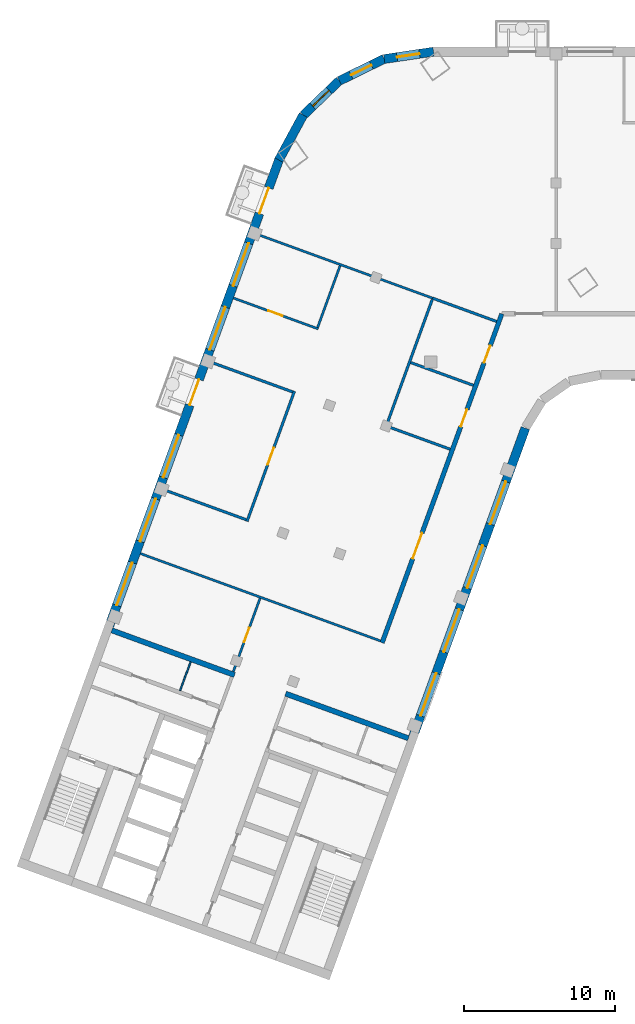
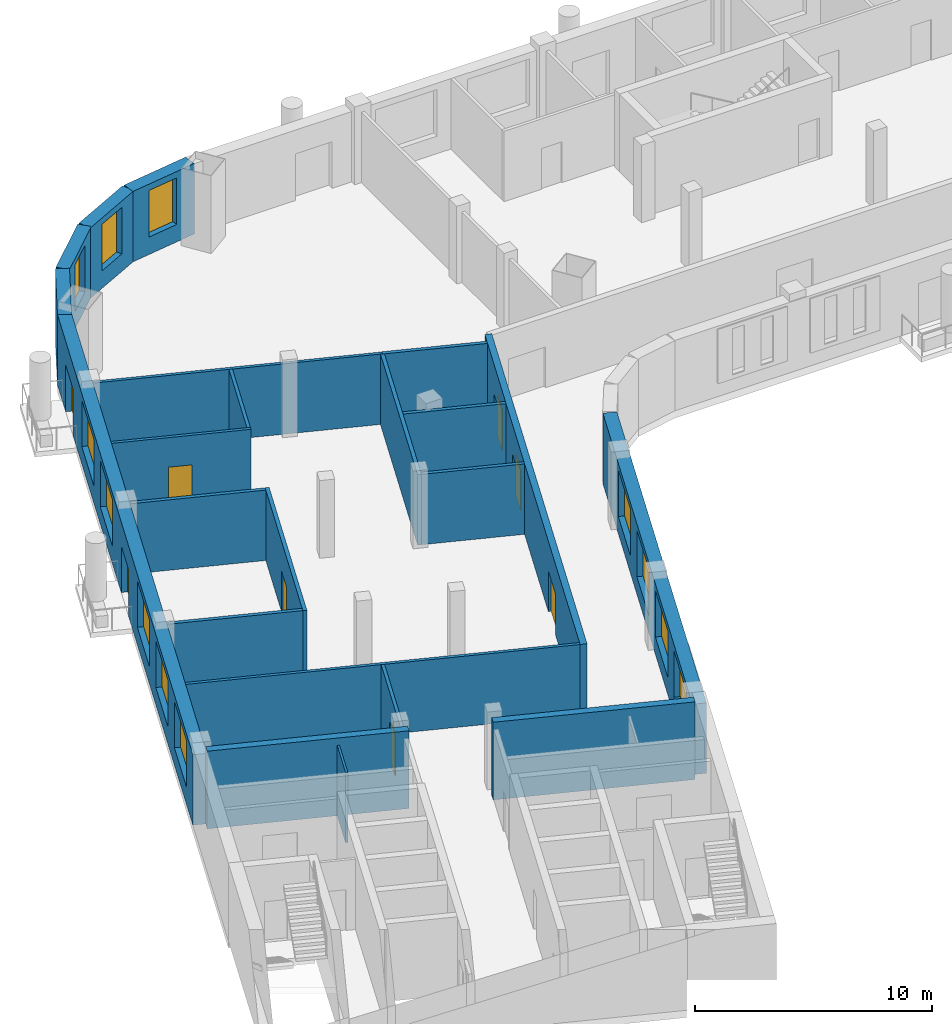
# One storey, part 3 of 10: 22 walls, 12 windows, 8 doors, 20 openings.
"""IFC4 building model written with IfcOpenShell, lengths in metres."""

from ifc_helpers import new_model, si_unit, direction, frame, frame_2d, origin, place, context, subcontext, project, spatial, rectangle, extrude, material, layer, layer_set, type_object, element, fill, save


model = new_model("IFC4")

# Units and contexts
model_context = context("Model", 3, precision=1e-05, world=origin(), true_north=direction((0.0, 1.0)))
body_context = subcontext(model_context, "Body", "Model", "MODEL_VIEW")
ifc_project = project(units=[si_unit("LENGTHUNIT", "METRE"), si_unit("AREAUNIT", "SQUARE_METRE"), si_unit("VOLUMEUNIT", "CUBIC_METRE"), si_unit("PLANEANGLEUNIT", "RADIAN"), si_unit("MASSUNIT", "GRAM", prefix="KILO")], contexts=[model_context])

# Site, building, storey
site_placement = place(None, origin())
site = spatial("IfcSite", under=ifc_project, at=site_placement, CompositionType="ELEMENT")
building_placement = place(site_placement, origin())
building = spatial("IfcBuilding", under=site, at=building_placement, Name="Skarvind Civic Tower", CompositionType="ELEMENT")
storey_placement = place(building_placement, frame((0.0, 0.0, 166.5)))
storey = spatial("IfcBuildingStorey", under=building, at=storey_placement, Name="L39", CompositionType="ELEMENT", Elevation=166.5)

# Walls
ifc_material_1 = material(Name="Acoustic gypsum board on steel studs", Category="steel")
ifc_layer_1 = layer(ifc_material_1, 0.175048828125)
ifc_layer_set_1 = layer_set([ifc_layer_1], Name="ACOUSTIC MEETING-ROOM PARTITION 175")
wall_type_1 = type_object("IfcWallType", Name="ACOUSTIC MEETING-ROOM PARTITION 175", PredefinedType="PARTITIONING", material=ifc_layer_set_1)
wall_1_placement = place(storey_placement, frame((31.35302734375, 118.166015625, 0.0), z_axis=(0.0, 0.0, 1.0), x_axis=(0.939708789041, -0.341975718143, 0.0)))
element("IfcWall", 1, at=wall_1_placement, inside=storey, type_object=wall_type_1, Name="Partition 39.002", PredefinedType="PARTITIONING", context=body_context, shape_type="SweptSolid", body=[
    extrude(rectangle(XDim=5.8134765625, YDim=0.175048828125, at=frame_2d((2.90673828125, 0.0))), origin(), (0.0, 0.0, 1.0), 3.625),
])
wall_2_placement = place(storey_placement, frame((33.737060546875, 107.720947265625, 0.0), z_axis=(0.0, 0.0, 1.0), x_axis=(-0.939694052357, 0.34201621009, 0.0)))
element("IfcWall", 2, at=wall_2_placement, inside=storey, type_object=wall_type_1, Name="Partition 39.003", PredefinedType="PARTITIONING", context=body_context, shape_type="SweptSolid", body=[
    extrude(rectangle(XDim=5.812744140625, YDim=0.175048828125, at=frame_2d((2.90625, 0.0))), origin(), (0.0, 0.0, 1.0), 3.625),
])

# Wall, opening, door
wall_3_placement = place(storey_placement, frame((36.927978515625, 116.22998046875, 0.0), z_axis=(0.0, 0.0, 1.0), x_axis=(-0.342125481497, -0.93965427414, 0.0)))
wall_3 = element("IfcWall", 3, at=wall_3_placement, inside=storey, type_object=wall_type_1, Name="Partition 39.006", PredefinedType="PARTITIONING", context=body_context, shape_type="SweptSolid", body=[
    extrude(rectangle(XDim=9.1748046875, YDim=0.175048828125, at=frame_2d((4.58740234375, 0.0))), origin(), (0.0, 0.0, 1.0), 3.625),
])
opening_1_placement = place(wall_3_placement, frame((3.9873046875, 0.0, 0.0)))
opening_1 = element("IfcOpeningElement", 4, at=opening_1_placement, cuts=wall_3, Name="Opening L39-D014", PredefinedType="OPENING", context=body_context, shape_type="SweptSolid", body=[
    extrude(rectangle(XDim=1.199951171875, YDim=2.10009765625, at=frame_2d((0.60009765625, 1.050048828125))), frame((0.0, 0.097412109375, 0.0), z_axis=(0.0, -1.0, 0.0), x_axis=(1.0, 0.0, 0.0)), (0.0, 0.0, 1.0), 0.195068359375),
])
ifc_material_2 = material(Name="Timber door leaf", Category="wood")
door_type_1 = type_object("IfcDoorType", Name="DOOR 1200X2100 DOUBLE TIMBER", OperationType="NOTDEFINED", PredefinedType="DOOR", material=ifc_material_2)
door_1_placement = place(opening_1_placement, origin())
door_1 = element("IfcDoor", 5, at=door_1_placement, inside=storey, type_object=door_type_1, Name="Door L39-D014", OperationType="DOUBLE_DOOR_SINGLE_SWING", OverallHeight=2.10009765625, OverallWidth=1.199951171875, PredefinedType="DOOR", context=body_context, shape_type="SweptSolid", body=[
    extrude(rectangle(XDim=1.199951171875, YDim=2.10009765625, at=frame_2d((0.60009765625, 1.050048828125))), frame((0.0, 0.02490234375, 0.0), z_axis=(0.0, -1.0, 0.0), x_axis=(1.0, 0.0, 0.0)), (0.0, 0.0, 1.0), 0.050048828125),
])
fill(opening_1, door_1)

# Walls
for number, where, z_axis, x_axis, name in (
    (6, (43.087890625, 113.89501953125, 0.0), (0.0, 0.0, 1.0), (0.939691598517, -0.342022951975, 0.0), "Partition 39.010"),
    (7, (44.626953125, 118.1240234375, 0.0), (0.0, 0.0, 1.0), (0.939691598517, -0.342022951975, 0.0), "Partition 39.011"),
):
    element("IfcWall", number, at=place(storey_placement, frame(where, z_axis=z_axis, x_axis=x_axis)), inside=storey, type_object=wall_type_1, Name=name, PredefinedType="PARTITIONING", context=body_context, shape_type="SweptSolid", body=[
        extrude(rectangle(XDim=4.412109375, YDim=0.175048828125, at=frame_2d((2.2060546875, 0.0))), origin(), (0.0, 0.0, 1.0), 3.625),
    ])
wall_4_placement = place(storey_placement, frame((46.053955078125, 122.301025390625, 0.0), z_axis=(0.0, 0.0, 1.0), x_axis=(-0.341963022424, -0.939713409128, 0.0)))
element("IfcWall", 8, at=wall_4_placement, inside=storey, type_object=wall_type_1, Name="Partition 39.012", PredefinedType="PARTITIONING", context=body_context, shape_type="SweptSolid", body=[
    extrude(rectangle(XDim=9.000732421875, YDim=0.175048828125, at=frame_2d((4.50048828125, 0.0))), origin(), (0.0, 0.0, 1.0), 3.625),
])
wall_5_placement = place(storey_placement, frame((50.31201171875, 120.843017578125, 0.0), z_axis=(0.0, 0.0, 1.0), x_axis=(-0.939609529273, 0.342248349154, 0.0)))
element("IfcWall", 9, at=wall_5_placement, inside=storey, type_object=wall_type_1, Name="Partition 39.013", PredefinedType="PARTITIONING", context=body_context, shape_type="SweptSolid", body=[
    extrude(rectangle(XDim=4.499755859375, YDim=0.175048828125, at=frame_2d((2.25, 0.0))), origin(), (0.0, 0.0, 1.0), 3.625),
])

# Wall, openings, doors
ifc_material_3 = material(Name="Fire-rated gypsum board on steel studs", Category="steel")
ifc_layer_2 = layer(ifc_material_3, 0.300048828125)
ifc_layer_set_2 = layer_set([ifc_layer_2], Name="CORRIDOR WALL 300")
wall_type_2 = type_object("IfcWallType", Name="CORRIDOR WALL 300", PredefinedType="PARTITIONING", material=ifc_layer_set_2)
wall_6_placement = place(storey_placement, frame((42.73193359375, 99.5791015625, 0.0), z_axis=(0.0, 0.0, 1.0), x_axis=(0.342036653044, 0.939686611576, 0.0)))
wall_6 = element("IfcWall", 10, at=wall_6_placement, inside=storey, type_object=wall_type_2, Name="Partition 39.009", PredefinedType="PARTITIONING", context=body_context, shape_type="SweptSolid", body=[
    extrude(rectangle(XDim=23.167236328125, YDim=0.300048828125, at=frame_2d((11.58349609375, 0.0))), origin(), (0.0, 0.0, 1.0), 3.625),
])
opening_2_placement = place(wall_6_placement, frame((15.224853515625, 0.0, 0.0)))
opening_2 = element("IfcOpeningElement", 11, at=opening_2_placement, cuts=wall_6, Name="Opening L39-D012", PredefinedType="OPENING", context=body_context, shape_type="SweptSolid", body=[
    extrude(rectangle(XDim=1.199951171875, YDim=2.10009765625, at=frame_2d((0.60009765625, 1.050048828125))), frame((0.0, 0.159912109375, 0.0), z_axis=(0.0, -1.0, 0.0), x_axis=(1.0, 0.0, 0.0)), (0.0, 0.0, 1.0), 0.320068359375),
])
opening_3_placement = place(wall_6_placement, frame((19.724609375, 0.0, 0.0)))
opening_3 = element("IfcOpeningElement", 12, at=opening_3_placement, cuts=wall_6, Name="Opening L39-D013", PredefinedType="OPENING", context=body_context, shape_type="SweptSolid", body=[
    extrude(rectangle(XDim=1.199951171875, YDim=2.10009765625, at=frame_2d((0.60009765625, 1.050048828125))), frame((0.0, 0.159912109375, 0.0), z_axis=(0.0, -1.0, 0.0), x_axis=(1.0, 0.0, 0.0)), (0.0, 0.0, 1.0), 0.320068359375),
])
opening_4_placement = place(wall_6_placement, frame((5.924560546875, 0.0, 0.0)))
opening_4 = element("IfcOpeningElement", 13, at=opening_4_placement, cuts=wall_6, Name="Opening L39-D016", PredefinedType="OPENING", context=body_context, shape_type="SweptSolid", body=[
    extrude(rectangle(XDim=1.800048828125, YDim=2.10009765625, at=frame_2d((0.89990234375, 1.050048828125))), frame((0.0, 0.159912109375, 0.0), z_axis=(0.0, -1.0, 0.0), x_axis=(1.0, 0.0, 0.0)), (0.0, 0.0, 1.0), 0.320068359375),
])
ifc_material_4 = material(Name="Fire-rated timber door leaf", Category="wood")
door_type_2 = type_object("IfcDoorType", Name="FD4 1800x2100", OperationType="NOTDEFINED", PredefinedType="DOOR", material=ifc_material_4)
door_2_placement = place(opening_4_placement, origin())
door_2 = element("IfcDoor", 14, at=door_2_placement, inside=storey, type_object=door_type_2, Name="Door L39-D016", OperationType="DOUBLE_DOOR_SINGLE_SWING", OverallHeight=2.10009765625, OverallWidth=1.800048828125, PredefinedType="DOOR", context=body_context, shape_type="SweptSolid", body=[
    extrude(rectangle(XDim=1.800048828125, YDim=2.10009765625, at=frame_2d((0.89990234375, 1.050048828125))), frame((0.0, 0.02490234375, 0.0), z_axis=(0.0, -1.0, 0.0), x_axis=(1.0, 0.0, 0.0)), (0.0, 0.0, 1.0), 0.050048828125),
])
fill(opening_4, door_2)
door_type_3 = type_object("IfcDoorType", Name="FD6 1200x2100 DOUBLE", OperationType="NOTDEFINED", PredefinedType="DOOR", material=ifc_material_4)
door_3_placement = place(opening_2_placement, origin())
door_3 = element("IfcDoor", 15, at=door_3_placement, inside=storey, type_object=door_type_3, Name="Door L39-D012", OperationType="DOUBLE_DOOR_SINGLE_SWING", OverallHeight=2.10009765625, OverallWidth=1.199951171875, PredefinedType="DOOR", context=body_context, shape_type="SweptSolid", body=[
    extrude(rectangle(XDim=1.199951171875, YDim=2.10009765625, at=frame_2d((0.60009765625, 1.050048828125))), frame((0.0, 0.02490234375, 0.0), z_axis=(0.0, -1.0, 0.0), x_axis=(1.0, 0.0, 0.0)), (0.0, 0.0, 1.0), 0.050048828125),
])
fill(opening_2, door_3)
door_4_placement = place(opening_3_placement, origin())
door_4 = element("IfcDoor", 16, at=door_4_placement, inside=storey, type_object=door_type_3, Name="Door L39-D013", OperationType="DOUBLE_DOOR_SINGLE_SWING", OverallHeight=2.10009765625, OverallWidth=1.199951171875, PredefinedType="DOOR", context=body_context, shape_type="SweptSolid", body=[
    extrude(rectangle(XDim=1.199951171875, YDim=2.10009765625, at=frame_2d((0.60009765625, 1.050048828125))), frame((0.0, 0.02490234375, 0.0), z_axis=(0.0, -1.0, 0.0), x_axis=(1.0, 0.0, 0.0)), (0.0, 0.0, 1.0), 0.050048828125),
])
fill(opening_3, door_4)

# Walls
ifc_material_5 = material(Name="Fire-rated plasterboard partition")
ifc_layer_3 = layer(ifc_material_5, 0.10009765625)
ifc_layer_set_3 = layer_set([ifc_layer_3], Name="Core partition wall 100")
wall_type_3 = type_object("IfcWallType", Name="Core partition wall 100", PredefinedType="PARTITIONING", material=ifc_layer_set_3)
wall_7_placement = place(storey_placement, frame((29.3623046875, 96.410400390625, 0.0), z_axis=(0.0, 0.0, 1.0), x_axis=(0.342043138314, 0.939684250976, 0.0)))
element("IfcWall", 17, at=wall_7_placement, inside=storey, type_object=wall_type_3, Name="Core wall C2", PredefinedType="PARTITIONING", context=body_context, shape_type="SweptSolid", body=[
    extrude(rectangle(XDim=2.02490234375, YDim=0.10009765625, at=frame_2d((1.012451171875, 0.0))), origin(), (0.0, 0.0, 1.0), 3.625),
])
ifc_material_6 = material(Name="Concrete C60", Category="concrete")
ifc_layer_4 = layer(ifc_material_6, 0.35009765625)
ifc_layer_set_4 = layer_set([ifc_layer_4], Name="Core wall 350 C60")
wall_type_4 = type_object("IfcWallType", Name="Core wall 350 C60", PredefinedType="SHEAR", material=ifc_layer_set_4)
wall_8_placement = place(storey_placement, frame((44.473388671875, 93.25146484375, 0.0), z_axis=(0.0, 0.0, 1.0), x_axis=(-0.939692847377, 0.34201952077, 0.0)))
element("IfcWall", 18, at=wall_8_placement, inside=storey, type_object=wall_type_4, Name="Core wall C2 south inner face L39", PredefinedType="SHEAR", context=body_context, shape_type="SweptSolid", body=[
    extrude(rectangle(XDim=8.650146484375, YDim=0.35009765625, at=frame_2d((4.3251953125, 0.0))), origin(), (0.0, 0.0, 1.0), 4.0),
])
wall_9_placement = place(storey_placement, frame((32.9619140625, 97.44140625, 0.0), z_axis=(0.0, 0.0, 1.0), x_axis=(-0.939689545667, 0.342028592028, 0.0)))
element("IfcWall", 19, at=wall_9_placement, inside=storey, type_object=wall_type_4, Name="Core wall C2 north inner face L39", PredefinedType="SHEAR", context=body_context, shape_type="SweptSolid", body=[
    extrude(rectangle(XDim=8.64990234375, YDim=0.35009765625, at=frame_2d((4.324951171875, 0.0))), origin(), (0.0, 0.0, 1.0), 4.0),
])
ifc_material_7 = material(Name="Plasterboard partition on steel studs", Category="steel")
ifc_layer_5 = layer(ifc_material_7, 0.14990234375)
ifc_layer_set_5 = layer_set([ifc_layer_5], Name="PARTITION 150")
wall_type_5 = type_object("IfcWallType", Name="PARTITION 150", PredefinedType="PARTITIONING", material=ifc_layer_set_5)
wall_10_placement = place(storey_placement, frame((26.736083984375, 105.47998046875, 0.0), z_axis=(0.0, 0.0, 1.0), x_axis=(0.939695108427, -0.342013308511, 0.0)))
element("IfcWall", 20, at=wall_10_placement, inside=storey, type_object=wall_type_5, Name="Partition 39.001", PredefinedType="PARTITIONING", context=body_context, shape_type="SweptSolid", body=[
    extrude(rectangle(XDim=16.89990234375, YDim=0.14990234375, at=frame_2d((8.449951171875, 0.0))), origin(), (0.0, 0.0, 1.0), 3.625),
])
wall_11_placement = place(storey_placement, frame((34.430908203125, 126.6240234375, 0.0), z_axis=(0.0, 0.0, 1.0), x_axis=(0.939703144457, -0.341991228392, 0.0)))
element("IfcWall", 21, at=wall_11_placement, inside=storey, type_object=wall_type_5, Name="Partition 39.004", PredefinedType="PARTITIONING", context=body_context, shape_type="SweptSolid", body=[
    extrude(rectangle(XDim=12.40087890625, YDim=0.14990234375, at=frame_2d((6.200439453125, 0.0))), origin(), (0.0, 0.0, 1.0), 3.625),
])

# Wall, opening, door
wall_12_placement = place(storey_placement, frame((32.881103515625, 97.656982421875, 0.0), z_axis=(0.0, 0.0, 1.0), x_axis=(0.341981688871, 0.939706616172, 0.0)))
wall_12 = element("IfcWall", 22, at=wall_12_placement, inside=storey, type_object=wall_type_5, Name="Partition 39.005", PredefinedType="PARTITIONING", context=body_context, shape_type="SweptSolid", body=[
    extrude(rectangle(XDim=5.175048828125, YDim=0.14990234375, at=frame_2d((2.58740234375, 0.0))), origin(), (0.0, 0.0, 1.0), 3.625),
])
opening_5_placement = place(wall_12_placement, frame((2.09765625, 0.0, 0.0)))
opening_5 = element("IfcOpeningElement", 23, at=opening_5_placement, cuts=wall_12, Name="Opening L39-D011", PredefinedType="OPENING", context=body_context, shape_type="SweptSolid", body=[
    extrude(rectangle(XDim=1.0, YDim=2.10009765625, at=frame_2d((0.5, 1.050048828125))), frame((0.0, 0.0849609375, 0.0), z_axis=(0.0, -1.0, 0.0), x_axis=(1.0, 0.0, 0.0)), (0.0, 0.0, 1.0), 0.169921875),
])
door_type_4 = type_object("IfcDoorType", Name="D1 1000x2100", OperationType="NOTDEFINED", PredefinedType="DOOR", material=ifc_material_2)
door_5_placement = place(opening_5_placement, origin())
door_5 = element("IfcDoor", 24, at=door_5_placement, inside=storey, type_object=door_type_4, Name="Door L39-D011", OperationType="SINGLE_SWING_LEFT", OverallHeight=2.10009765625, OverallWidth=1.0, PredefinedType="DOOR", context=body_context, shape_type="SweptSolid", body=[
    extrude(rectangle(XDim=1.0, YDim=2.10009765625, at=frame_2d((0.5, 1.050048828125))), frame((0.0, 0.02490234375, 0.0), z_axis=(0.0, -1.0, 0.0), x_axis=(1.0, 0.0, 0.0)), (0.0, 0.0, 1.0), 0.050048828125),
])
fill(opening_5, door_5)

wall_13_placement = place(storey_placement, frame((38.507080078125, 120.35107421875, 0.0), z_axis=(0.0, 0.0, 1.0), x_axis=(-0.939678850769, 0.342057973766, 0.0)))
wall_13 = element("IfcWall", 25, at=wall_13_placement, inside=storey, type_object=wall_type_5, Name="Partition 39.007", PredefinedType="PARTITIONING", context=body_context, shape_type="SweptSolid", body=[
    extrude(rectangle(XDim=5.975341796875, YDim=0.14990234375, at=frame_2d((2.98779296875, 0.0))), origin(), (0.0, 0.0, 1.0), 3.625),
])
opening_6_placement = place(wall_13_placement, frame((2.52490234375, 0.0, 0.0)))
opening_6 = element("IfcOpeningElement", 26, at=opening_6_placement, cuts=wall_13, Name="Opening L39-D015", PredefinedType="OPENING", context=body_context, shape_type="SweptSolid", body=[
    extrude(rectangle(XDim=1.0, YDim=2.10009765625, at=frame_2d((0.5, 1.050048828125))), frame((0.0, 0.0849609375, 0.0), z_axis=(0.0, -1.0, 0.0), x_axis=(1.0, 0.0, 0.0)), (0.0, 0.0, 1.0), 0.169921875),
])
door_6_placement = place(opening_6_placement, origin())
door_6 = element("IfcDoor", 27, at=door_6_placement, inside=storey, type_object=door_type_4, Name="Door L39-D015", OperationType="SINGLE_SWING_LEFT", OverallHeight=2.10009765625, OverallWidth=1.0, PredefinedType="DOOR", context=body_context, shape_type="SweptSolid", body=[
    extrude(rectangle(XDim=1.0, YDim=2.10009765625, at=frame_2d((0.5, 1.050048828125))), frame((0.0, 0.02490234375, 0.0), z_axis=(0.0, -1.0, 0.0), x_axis=(1.0, 0.0, 0.0)), (0.0, 0.0, 1.0), 0.050048828125),
])
fill(opening_6, door_6)

# Wall
wall_14_placement = place(storey_placement, frame((39.949951171875, 124.535888671875, 0.0), z_axis=(0.0, 0.0, 1.0), x_axis=(-0.341783611499, -0.939778677621, 0.0)))
element("IfcWall", 28, at=wall_14_placement, inside=storey, type_object=wall_type_5, Name="Partition 39.008", PredefinedType="PARTITIONING", context=body_context, shape_type="SweptSolid", body=[
    extrude(rectangle(XDim=4.350830078125, YDim=0.14990234375, at=frame_2d((2.17529296875, 0.0))), origin(), (0.0, 0.0, 1.0), 3.625),
])

# Wall, openings, windows
ifc_material_8 = material(Name="Limestone masonry cladding on insulated backing", Category="masonry")
ifc_layer_6 = layer(ifc_material_8, 0.60009765625)
ifc_layer_set_6 = layer_set([ifc_layer_6], Name="WX1 STONE FACADE WALL 600")
wall_type_6 = type_object("IfcWallType", Name="WX1 STONE FACADE WALL 600", PredefinedType="SOLIDWALL", material=ifc_layer_set_6)
wall_15_placement = place(storey_placement, frame((52.212158203125, 113.78271484375, 0.0), z_axis=(0.0, 0.0, 1.0), x_axis=(-0.34202521188, -0.939690775968, 0.0)))
wall_15 = element("IfcWall", 29, at=wall_15_placement, inside=storey, type_object=wall_type_6, Name="STONE FACADE WALL", PredefinedType="SOLIDWALL", context=body_context, shape_type="SweptSolid", body=[
    extrude(rectangle(XDim=21.744873046875, YDim=0.60009765625, at=frame_2d((10.87255859375, 0.0))), origin(), (0.0, 0.0, 1.0), 3.625),
])
opening_7_placement = place(wall_15_placement, frame((3.764892578125, 0.0, 0.89990234375)))
opening_7 = element("IfcOpeningElement", 30, at=opening_7_placement, cuts=wall_15, Name="Opening WN1", PredefinedType="OPENING", context=body_context, shape_type="SweptSolid", body=[
    extrude(rectangle(XDim=3.0, YDim=2.39990234375, at=frame_2d((1.5, 1.199951171875))), frame((0.0, 0.31005859375, 0.0), z_axis=(0.0, -1.0, 0.0), x_axis=(1.0, 0.0, 0.0)), (0.0, 0.0, 1.0), 0.6201171875),
])
opening_8_placement = place(wall_15_placement, frame((8.264892578125, 0.0, 0.89990234375)))
opening_8 = element("IfcOpeningElement", 31, at=opening_8_placement, cuts=wall_15, Name="Opening WN1", PredefinedType="OPENING", context=body_context, shape_type="SweptSolid", body=[
    extrude(rectangle(XDim=3.0, YDim=2.39990234375, at=frame_2d((1.5, 1.199951171875))), frame((0.0, 0.31005859375, 0.0), z_axis=(0.0, -1.0, 0.0), x_axis=(1.0, 0.0, 0.0)), (0.0, 0.0, 1.0), 0.6201171875),
])
opening_9_placement = place(wall_15_placement, frame((12.764892578125, 0.0, 0.89990234375)))
opening_9 = element("IfcOpeningElement", 32, at=opening_9_placement, cuts=wall_15, Name="Opening WN1", PredefinedType="OPENING", context=body_context, shape_type="SweptSolid", body=[
    extrude(rectangle(XDim=3.0, YDim=2.39990234375, at=frame_2d((1.5, 1.199951171875))), frame((0.0, 0.31005859375, 0.0), z_axis=(0.0, -1.0, 0.0), x_axis=(1.0, 0.0, 0.0)), (0.0, 0.0, 1.0), 0.6201171875),
])
opening_10_placement = place(wall_15_placement, frame((17.264892578125, 0.0, 0.89990234375)))
opening_10 = element("IfcOpeningElement", 33, at=opening_10_placement, cuts=wall_15, Name="Opening WN1", PredefinedType="OPENING", context=body_context, shape_type="SweptSolid", body=[
    extrude(rectangle(XDim=3.0, YDim=2.39990234375, at=frame_2d((1.5, 1.199951171875))), frame((0.0, 0.31005859375, 0.0), z_axis=(0.0, -1.0, 0.0), x_axis=(1.0, 0.0, 0.0)), (0.0, 0.0, 1.0), 0.6201171875),
])
ifc_material_9 = material(Name="Timber frame, double glazing, timber-lined reveal", Category="wood")
window_type_1 = type_object("IfcWindowType", Name="WN1 PUNCHED STONE WINDOW 3000 x 2400", PartitioningType="SINGLE_PANEL", PredefinedType="WINDOW", material=ifc_material_9)
window_1_placement = place(opening_7_placement, origin())
window_1 = element("IfcWindow", 34, at=window_1_placement, inside=storey, type_object=window_type_1, Name="WN1 WINDOW", OverallHeight=2.39990234375, OverallWidth=3.0, PartitioningType="SINGLE_PANEL", PredefinedType="WINDOW", context=body_context, shape_type="SweptSolid", body=[
    extrude(rectangle(XDim=3.0, YDim=2.39990234375, at=frame_2d((1.5, 1.199951171875))), frame((0.0, 0.030029296875, 0.0), z_axis=(0.0, -1.0, 0.0), x_axis=(1.0, 0.0, 0.0)), (0.0, 0.0, 1.0), 0.06005859375),
])
fill(opening_7, window_1)
window_2_placement = place(opening_8_placement, origin())
window_2 = element("IfcWindow", 35, at=window_2_placement, inside=storey, type_object=window_type_1, Name="WN1 WINDOW", OverallHeight=2.39990234375, OverallWidth=3.0, PartitioningType="SINGLE_PANEL", PredefinedType="WINDOW", context=body_context, shape_type="SweptSolid", body=[
    extrude(rectangle(XDim=3.0, YDim=2.39990234375, at=frame_2d((1.5, 1.199951171875))), frame((0.0, 0.030029296875, 0.0), z_axis=(0.0, -1.0, 0.0), x_axis=(1.0, 0.0, 0.0)), (0.0, 0.0, 1.0), 0.06005859375),
])
fill(opening_8, window_2)
window_3_placement = place(opening_9_placement, origin())
window_3 = element("IfcWindow", 36, at=window_3_placement, inside=storey, type_object=window_type_1, Name="WN1 WINDOW", OverallHeight=2.39990234375, OverallWidth=3.0, PartitioningType="SINGLE_PANEL", PredefinedType="WINDOW", context=body_context, shape_type="SweptSolid", body=[
    extrude(rectangle(XDim=3.0, YDim=2.39990234375, at=frame_2d((1.5, 1.199951171875))), frame((0.0, 0.030029296875, 0.0), z_axis=(0.0, -1.0, 0.0), x_axis=(1.0, 0.0, 0.0)), (0.0, 0.0, 1.0), 0.06005859375),
])
fill(opening_9, window_3)
window_4_placement = place(opening_10_placement, origin())
window_4 = element("IfcWindow", 37, at=window_4_placement, inside=storey, type_object=window_type_1, Name="WN1 WINDOW", OverallHeight=2.39990234375, OverallWidth=3.0, PartitioningType="SINGLE_PANEL", PredefinedType="WINDOW", context=body_context, shape_type="SweptSolid", body=[
    extrude(rectangle(XDim=3.0, YDim=2.39990234375, at=frame_2d((1.5, 1.199951171875))), frame((0.0, 0.030029296875, 0.0), z_axis=(0.0, -1.0, 0.0), x_axis=(1.0, 0.0, 0.0)), (0.0, 0.0, 1.0), 0.06005859375),
])
fill(opening_10, window_4)

# Wall, opening, window
wall_16_placement = place(storey_placement, frame((42.872802734375, 138.21728515625, 0.0), z_axis=(0.0, 0.0, 1.0), x_axis=(0.989110792192, 0.14717282619, 0.0)))
wall_16 = element("IfcWall", 38, at=wall_16_placement, inside=storey, type_object=wall_type_6, Name="STONE FACADE WALL", PredefinedType="SOLIDWALL", context=body_context, shape_type="SweptSolid", body=[
    extrude(rectangle(XDim=3.302734375, YDim=0.60009765625, at=frame_2d((1.6513671875, 0.0))), origin(), (0.0, 0.0, 1.0), 3.625),
])
opening_11_placement = place(wall_16_placement, frame((0.8564453125, 0.0, 0.89990234375)))
opening_11 = element("IfcOpeningElement", 39, at=opening_11_placement, cuts=wall_16, Name="Opening WN8", PredefinedType="OPENING", context=body_context, shape_type="SweptSolid", body=[
    extrude(rectangle(XDim=1.5, YDim=2.39990234375, at=frame_2d((0.75, 1.199951171875))), frame((0.0, 0.31005859375, 0.0), z_axis=(0.0, -1.0, 0.0), x_axis=(1.0, 0.0, 0.0)), (0.0, 0.0, 1.0), 0.6201171875),
])
window_type_2 = type_object("IfcWindowType", Name="WN8 ARC BAY WINDOW 1500 x 2400", PartitioningType="SINGLE_PANEL", PredefinedType="WINDOW", material=ifc_material_9)
window_5_placement = place(opening_11_placement, origin())
window_5 = element("IfcWindow", 40, at=window_5_placement, inside=storey, type_object=window_type_2, Name="WN8 WINDOW", OverallHeight=2.39990234375, OverallWidth=1.5, PartitioningType="SINGLE_PANEL", PredefinedType="WINDOW", context=body_context, shape_type="SweptSolid", body=[
    extrude(rectangle(XDim=1.5, YDim=2.39990234375, at=frame_2d((0.75, 1.199951171875))), frame((0.0, 0.030029296875, 0.0), z_axis=(0.0, -1.0, 0.0), x_axis=(1.0, 0.0, 0.0)), (0.0, 0.0, 1.0), 0.06005859375),
])
fill(opening_11, window_5)

wall_17_placement = place(storey_placement, frame((39.9072265625, 136.77587890625, 0.0), z_axis=(0.0, 0.0, 1.0), x_axis=(0.89761231107, 0.440785819889, 0.0)))
wall_17 = element("IfcWall", 41, at=wall_17_placement, inside=storey, type_object=wall_type_6, Name="STONE FACADE WALL", PredefinedType="SOLIDWALL", context=body_context, shape_type="SweptSolid", body=[
    extrude(rectangle(XDim=3.302734375, YDim=0.60009765625, at=frame_2d((1.6513671875, 0.0))), origin(), (0.0, 0.0, 1.0), 3.625),
])
opening_12_placement = place(wall_17_placement, frame((0.8564453125, 0.0, 0.89990234375)))
opening_12 = element("IfcOpeningElement", 42, at=opening_12_placement, cuts=wall_17, Name="Opening WN8", PredefinedType="OPENING", context=body_context, shape_type="SweptSolid", body=[
    extrude(rectangle(XDim=1.5, YDim=2.39990234375, at=frame_2d((0.75, 1.199951171875))), frame((0.0, 0.31005859375, 0.0), z_axis=(0.0, -1.0, 0.0), x_axis=(1.0, 0.0, 0.0)), (0.0, 0.0, 1.0), 0.6201171875),
])
window_6_placement = place(opening_12_placement, origin())
window_6 = element("IfcWindow", 43, at=window_6_placement, inside=storey, type_object=window_type_2, Name="WN8 WINDOW", OverallHeight=2.39990234375, OverallWidth=1.5, PartitioningType="SINGLE_PANEL", PredefinedType="WINDOW", context=body_context, shape_type="SweptSolid", body=[
    extrude(rectangle(XDim=1.5, YDim=2.39990234375, at=frame_2d((0.75, 1.199951171875))), frame((0.0, 0.030029296875, 0.0), z_axis=(0.0, -1.0, 0.0), x_axis=(1.0, 0.0, 0.0)), (0.0, 0.0, 1.0), 0.06005859375),
])
fill(opening_12, window_6)

wall_18_placement = place(storey_placement, frame((37.520263671875, 134.501220703125, 0.0), z_axis=(0.0, 0.0, 1.0), x_axis=(0.72115684486, 0.692771827596, 0.0)))
wall_18 = element("IfcWall", 44, at=wall_18_placement, inside=storey, type_object=wall_type_6, Name="STONE FACADE WALL", PredefinedType="SOLIDWALL", context=body_context, shape_type="SweptSolid", body=[
    extrude(rectangle(XDim=3.302734375, YDim=0.60009765625, at=frame_2d((1.6513671875, 0.0))), origin(), (0.0, 0.0, 1.0), 3.625),
])
opening_13_placement = place(wall_18_placement, frame((0.8564453125, 0.0, 0.89990234375)))
opening_13 = element("IfcOpeningElement", 45, at=opening_13_placement, cuts=wall_18, Name="Opening WN8", PredefinedType="OPENING", context=body_context, shape_type="SweptSolid", body=[
    extrude(rectangle(XDim=1.5, YDim=2.39990234375, at=frame_2d((0.75, 1.199951171875))), frame((0.0, 0.31005859375, 0.0), z_axis=(0.0, -1.0, 0.0), x_axis=(1.0, 0.0, 0.0)), (0.0, 0.0, 1.0), 0.6201171875),
])
window_7_placement = place(opening_13_placement, origin())
window_7 = element("IfcWindow", 46, at=window_7_placement, inside=storey, type_object=window_type_2, Name="WN8 WINDOW", OverallHeight=2.39990234375, OverallWidth=1.5, PartitioningType="SINGLE_PANEL", PredefinedType="WINDOW", context=body_context, shape_type="SweptSolid", body=[
    extrude(rectangle(XDim=1.5, YDim=2.39990234375, at=frame_2d((0.75, 1.199951171875))), frame((0.0, 0.030029296875, 0.0), z_axis=(0.0, -1.0, 0.0), x_axis=(1.0, 0.0, 0.0)), (0.0, 0.0, 1.0), 0.06005859375),
])
fill(opening_13, window_7)

# Wall
wall_19_placement = place(storey_placement, frame((35.89453125, 131.529541015625, 0.0), z_axis=(0.0, 0.0, 1.0), x_axis=(0.476531180538, 0.879157570618, 0.0)))
element("IfcWall", 47, at=wall_19_placement, inside=storey, type_object=wall_type_6, Name="STONE FACADE WALL", PredefinedType="SOLIDWALL", context=body_context, shape_type="SweptSolid", body=[
    extrude(rectangle(XDim=3.392578125, YDim=0.60009765625, at=frame_2d((1.6962890625, 0.0))), origin(), (0.0, 0.0, 1.0), 3.625),
])

# Wall, openings, doors, windows
wall_20_placement = place(storey_placement, frame((24.66552734375, 100.668701171875, 0.0), z_axis=(0.0, 0.0, 1.0), x_axis=(0.34201964167, 0.939692803373, 0.0)))
wall_20 = element("IfcWall", 48, at=wall_20_placement, inside=storey, type_object=wall_type_6, Name="STONE FACADE WALL", PredefinedType="SOLIDWALL", context=body_context, shape_type="SweptSolid", body=[
    extrude(rectangle(XDim=32.88427734375, YDim=0.60009765625, at=frame_2d((16.442138671875, 0.0))), origin(), (0.0, 0.0, 1.0), 3.625),
])
opening_14_placement = place(wall_20_placement, frame((1.47998046875, 0.0, 0.89990234375)))
opening_14 = element("IfcOpeningElement", 49, at=opening_14_placement, cuts=wall_20, Name="Opening WN1", PredefinedType="OPENING", context=body_context, shape_type="SweptSolid", body=[
    extrude(rectangle(XDim=3.0, YDim=2.39990234375, at=frame_2d((1.5, 1.199951171875))), frame((0.0, 0.31005859375, 0.0), z_axis=(0.0, -1.0, 0.0), x_axis=(1.0, 0.0, 0.0)), (0.0, 0.0, 1.0), 0.6201171875),
])
opening_15_placement = place(wall_20_placement, frame((5.97998046875, 0.0, 0.89990234375)))
opening_15 = element("IfcOpeningElement", 50, at=opening_15_placement, cuts=wall_20, Name="Opening WN1", PredefinedType="OPENING", context=body_context, shape_type="SweptSolid", body=[
    extrude(rectangle(XDim=3.0, YDim=2.39990234375, at=frame_2d((1.5, 1.199951171875))), frame((0.0, 0.31005859375, 0.0), z_axis=(0.0, -1.0, 0.0), x_axis=(1.0, 0.0, 0.0)), (0.0, 0.0, 1.0), 0.6201171875),
])
opening_16_placement = place(wall_20_placement, frame((10.47998046875, 0.0, 0.89990234375)))
opening_16 = element("IfcOpeningElement", 51, at=opening_16_placement, cuts=wall_20, Name="Opening WN1", PredefinedType="OPENING", context=body_context, shape_type="SweptSolid", body=[
    extrude(rectangle(XDim=3.0, YDim=2.39990234375, at=frame_2d((1.5, 1.199951171875))), frame((0.0, 0.31005859375, 0.0), z_axis=(0.0, -1.0, 0.0), x_axis=(1.0, 0.0, 0.0)), (0.0, 0.0, 1.0), 0.6201171875),
])
opening_17_placement = place(wall_20_placement, frame((15.580078125, 0.0, 0.0)))
opening_17 = element("IfcOpeningElement", 52, at=opening_17_placement, cuts=wall_20, Name="Opening DX3", PredefinedType="OPENING", context=body_context, shape_type="SweptSolid", body=[
    extrude(rectangle(XDim=1.800048828125, YDim=2.39990234375, at=frame_2d((0.89990234375, 1.199951171875))), frame((0.0, 0.31005859375, 0.0), z_axis=(0.0, -1.0, 0.0), x_axis=(1.0, 0.0, 0.0)), (0.0, 0.0, 1.0), 0.6201171875),
])
opening_18_placement = place(wall_20_placement, frame((19.47998046875, 0.0, 0.89990234375)))
opening_18 = element("IfcOpeningElement", 53, at=opening_18_placement, cuts=wall_20, Name="Opening WN1", PredefinedType="OPENING", context=body_context, shape_type="SweptSolid", body=[
    extrude(rectangle(XDim=3.0, YDim=2.39990234375, at=frame_2d((1.5, 1.199951171875))), frame((0.0, 0.31005859375, 0.0), z_axis=(0.0, -1.0, 0.0), x_axis=(1.0, 0.0, 0.0)), (0.0, 0.0, 1.0), 0.6201171875),
])
opening_19_placement = place(wall_20_placement, frame((23.97998046875, 0.0, 0.89990234375)))
opening_19 = element("IfcOpeningElement", 54, at=opening_19_placement, cuts=wall_20, Name="Opening WN1", PredefinedType="OPENING", context=body_context, shape_type="SweptSolid", body=[
    extrude(rectangle(XDim=3.0, YDim=2.39990234375, at=frame_2d((1.5, 1.199951171875))), frame((0.0, 0.31005859375, 0.0), z_axis=(0.0, -1.0, 0.0), x_axis=(1.0, 0.0, 0.0)), (0.0, 0.0, 1.0), 0.6201171875),
])
opening_20_placement = place(wall_20_placement, frame((29.080078125, 0.0, 0.0)))
opening_20 = element("IfcOpeningElement", 55, at=opening_20_placement, cuts=wall_20, Name="Opening DX3", PredefinedType="OPENING", context=body_context, shape_type="SweptSolid", body=[
    extrude(rectangle(XDim=1.800048828125, YDim=2.39990234375, at=frame_2d((0.89990234375, 1.199951171875))), frame((0.0, 0.31005859375, 0.0), z_axis=(0.0, -1.0, 0.0), x_axis=(1.0, 0.0, 0.0)), (0.0, 0.0, 1.0), 0.6201171875),
])
ifc_material_10 = material(Name="Timber and glass doorset", Category="wood")
door_type_5 = type_object("IfcDoorType", Name="DX3 TERRACE DOORS 1800 x 2400", OperationType="NOTDEFINED", PredefinedType="DOOR", material=ifc_material_10)
door_7_placement = place(opening_17_placement, origin())
door_7 = element("IfcDoor", 56, at=door_7_placement, inside=storey, type_object=door_type_5, Name="TERRACE DOORS", OperationType="DOUBLE_DOOR_SINGLE_SWING", OverallHeight=2.39990234375, OverallWidth=1.800048828125, PredefinedType="DOOR", context=body_context, shape_type="SweptSolid", body=[
    extrude(rectangle(XDim=1.800048828125, YDim=2.39990234375, at=frame_2d((0.89990234375, 1.199951171875))), frame((0.0, 0.02490234375, 0.0), z_axis=(0.0, -1.0, 0.0), x_axis=(1.0, 0.0, 0.0)), (0.0, 0.0, 1.0), 0.050048828125),
])
fill(opening_17, door_7)
door_8_placement = place(opening_20_placement, origin())
door_8 = element("IfcDoor", 57, at=door_8_placement, inside=storey, type_object=door_type_5, Name="TERRACE DOORS", OperationType="DOUBLE_DOOR_SINGLE_SWING", OverallHeight=2.39990234375, OverallWidth=1.800048828125, PredefinedType="DOOR", context=body_context, shape_type="SweptSolid", body=[
    extrude(rectangle(XDim=1.800048828125, YDim=2.39990234375, at=frame_2d((0.89990234375, 1.199951171875))), frame((0.0, 0.02490234375, 0.0), z_axis=(0.0, -1.0, 0.0), x_axis=(1.0, 0.0, 0.0)), (0.0, 0.0, 1.0), 0.050048828125),
])
fill(opening_20, door_8)
window_8_placement = place(opening_14_placement, origin())
window_8 = element("IfcWindow", 58, at=window_8_placement, inside=storey, type_object=window_type_1, Name="WN1 WINDOW", OverallHeight=2.39990234375, OverallWidth=3.0, PartitioningType="SINGLE_PANEL", PredefinedType="WINDOW", context=body_context, shape_type="SweptSolid", body=[
    extrude(rectangle(XDim=3.0, YDim=2.39990234375, at=frame_2d((1.5, 1.199951171875))), frame((0.0, 0.030029296875, 0.0), z_axis=(0.0, -1.0, 0.0), x_axis=(1.0, 0.0, 0.0)), (0.0, 0.0, 1.0), 0.06005859375),
])
fill(opening_14, window_8)
window_9_placement = place(opening_15_placement, origin())
window_9 = element("IfcWindow", 59, at=window_9_placement, inside=storey, type_object=window_type_1, Name="WN1 WINDOW", OverallHeight=2.39990234375, OverallWidth=3.0, PartitioningType="SINGLE_PANEL", PredefinedType="WINDOW", context=body_context, shape_type="SweptSolid", body=[
    extrude(rectangle(XDim=3.0, YDim=2.39990234375, at=frame_2d((1.5, 1.199951171875))), frame((0.0, 0.030029296875, 0.0), z_axis=(0.0, -1.0, 0.0), x_axis=(1.0, 0.0, 0.0)), (0.0, 0.0, 1.0), 0.06005859375),
])
fill(opening_15, window_9)
window_10_placement = place(opening_16_placement, origin())
window_10 = element("IfcWindow", 60, at=window_10_placement, inside=storey, type_object=window_type_1, Name="WN1 WINDOW", OverallHeight=2.39990234375, OverallWidth=3.0, PartitioningType="SINGLE_PANEL", PredefinedType="WINDOW", context=body_context, shape_type="SweptSolid", body=[
    extrude(rectangle(XDim=3.0, YDim=2.39990234375, at=frame_2d((1.5, 1.199951171875))), frame((0.0, 0.030029296875, 0.0), z_axis=(0.0, -1.0, 0.0), x_axis=(1.0, 0.0, 0.0)), (0.0, 0.0, 1.0), 0.06005859375),
])
fill(opening_16, window_10)
window_11_placement = place(opening_18_placement, origin())
window_11 = element("IfcWindow", 61, at=window_11_placement, inside=storey, type_object=window_type_1, Name="WN1 WINDOW", OverallHeight=2.39990234375, OverallWidth=3.0, PartitioningType="SINGLE_PANEL", PredefinedType="WINDOW", context=body_context, shape_type="SweptSolid", body=[
    extrude(rectangle(XDim=3.0, YDim=2.39990234375, at=frame_2d((1.5, 1.199951171875))), frame((0.0, 0.030029296875, 0.0), z_axis=(0.0, -1.0, 0.0), x_axis=(1.0, 0.0, 0.0)), (0.0, 0.0, 1.0), 0.06005859375),
])
fill(opening_18, window_11)
window_12_placement = place(opening_19_placement, origin())
window_12 = element("IfcWindow", 62, at=window_12_placement, inside=storey, type_object=window_type_1, Name="WN1 WINDOW", OverallHeight=2.39990234375, OverallWidth=3.0, PartitioningType="SINGLE_PANEL", PredefinedType="WINDOW", context=body_context, shape_type="SweptSolid", body=[
    extrude(rectangle(XDim=3.0, YDim=2.39990234375, at=frame_2d((1.5, 1.199951171875))), frame((0.0, 0.030029296875, 0.0), z_axis=(0.0, -1.0, 0.0), x_axis=(1.0, 0.0, 0.0)), (0.0, 0.0, 1.0), 0.06005859375),
])
fill(opening_19, window_12)

save(model, "model.ifc")
